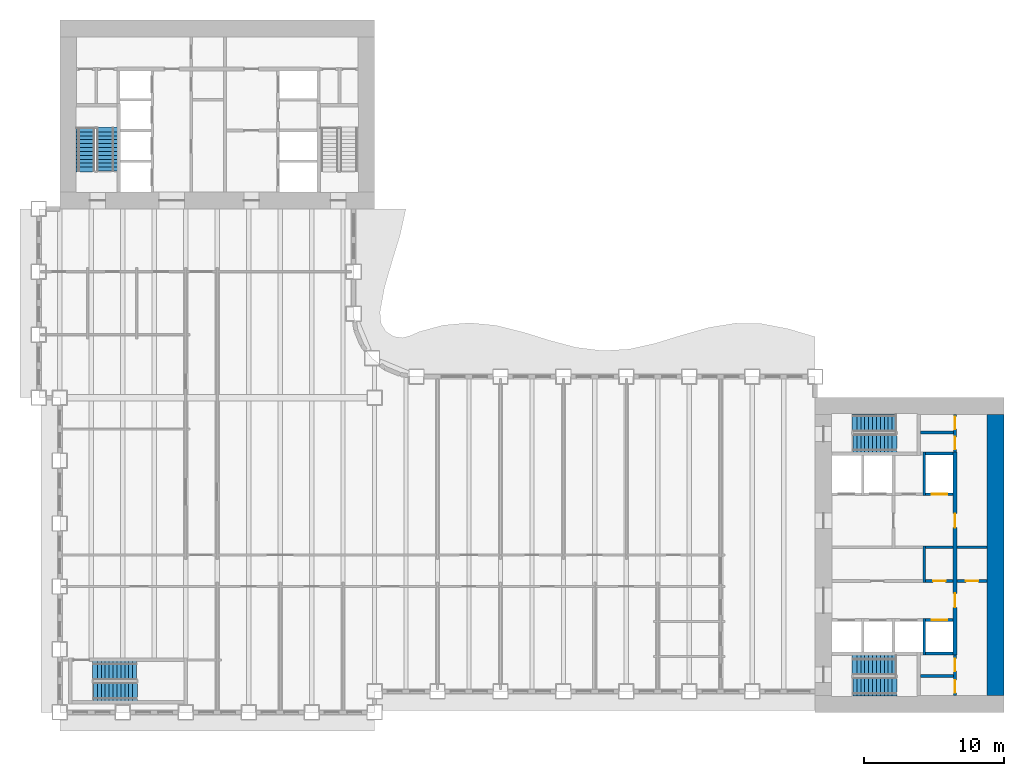
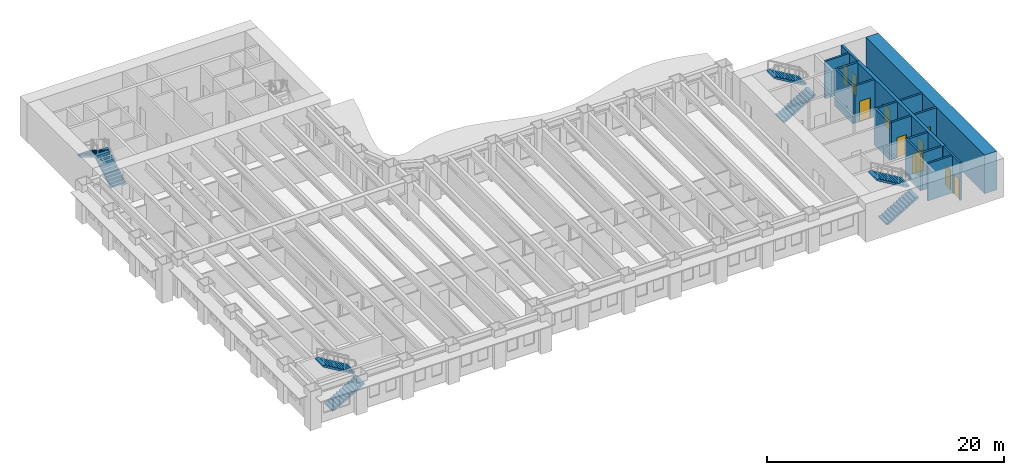
# One storey, part 9 of 16: 17 walls, 10 doors, 8 stair flights, 10 openings, 4 elements without a shape of their own.
"""IFC4 building model written with IfcOpenShell, lengths in metres."""

import ifcopenshell
import ifcopenshell.guid

model = None  # the IFC model being written
_history = None  # IfcOwnerHistory: only IFC2X3 demands one
_inside = {}  # id of a spatial element -> (the spatial element, [elements in it])
_under = {}  # id of a project, library or spatial element -> (it, [spatial elements below it])
_declared = {}  # id of a project -> (the project, [libraries it declares])
_typed = {}  # id of a type object -> (the type object, [elements of that type])
_made_of = {}  # id of a material, layer set ... -> (it, [elements and type objects made of it])


def new_model(schema):
    """Start an empty IFC model of exactly this schema.

    Asked for "IFC4X3", IfcOpenShell would pick the latest addendum, in which some entities
    have other attributes; the version numbers below select the first issue.
    IFC2X3 requires an IfcOwnerHistory on every rooted entity: one is made here for all.
    """
    global model, _history
    if schema == "IFC4X3":
        model = ifcopenshell.file(schema_version=(4, 3, 0, 0))
    else:
        model = ifcopenshell.file(schema=schema)
    _inside.clear()
    _under.clear()
    _declared.clear()
    _typed.clear()
    _made_of.clear()
    _history = None
    if model.schema == "IFC2X3":
        org = make("IfcOrganization", Name="unknown")
        user = make(
            "IfcPersonAndOrganization",
            ThePerson=make("IfcPerson", FamilyName="unknown"),
            TheOrganization=org,
        )
        app = make(
            "IfcApplication",
            ApplicationDeveloper=org,
            Version="unknown",
            ApplicationFullName="unknown",
            ApplicationIdentifier="unknown",
        )
        _history = make(
            "IfcOwnerHistory",
            OwningUser=user,
            OwningApplication=app,
            ChangeAction="ADDED",
            CreationDate=0,
        )
    return model


def make(cls, **values):
    """One entity of the class cls with the attributes given. An attribute that is None is left unset."""
    return model.create_entity(
        cls, **{name: value for name, value in values.items() if value is not None}
    )


def rooted(cls, **values):
    """An entity with a GlobalId (a new one), such as an element, a storey or a relation."""
    return make(cls, GlobalId=ifcopenshell.guid.new(), OwnerHistory=_history, **values)


def si_unit(unit_type, name, prefix=None):
    """IfcSIUnit, for example si_unit("LENGTHUNIT", "METRE", prefix="MILLI")."""
    return make("IfcSIUnit", UnitType=unit_type, Prefix=prefix, Name=name)


def assignment(units):
    """IfcUnitAssignment: the units of a project."""
    return None if units is None else make("IfcUnitAssignment", Units=units)


def point(xyz):
    """IfcCartesianPoint."""
    return None if xyz is None else make("IfcCartesianPoint", Coordinates=xyz)


def direction(xyz):
    """IfcDirection."""
    return None if xyz is None else make("IfcDirection", DirectionRatios=xyz)


def frame(location, z_axis=None, x_axis=None):
    """IfcAxis2Placement3D, a coordinate frame: its origin and axes. An axis left out is left unset."""
    return make(
        "IfcAxis2Placement3D",
        Location=point(location),
        Axis=direction(z_axis),
        RefDirection=direction(x_axis),
    )


def frame_2d(location, x_axis=None):
    """IfcAxis2Placement2D, a coordinate frame in the plane: its origin and x axis."""
    return make(
        "IfcAxis2Placement2D", Location=point(location), RefDirection=direction(x_axis)
    )


def origin():
    """The frame at (0, 0, 0) with its axes left unset."""
    return frame((0.0, 0.0, 0.0))


def place(relative_to, where):
    """IfcLocalPlacement: puts the frame where relative to a parent placement (None: the world)."""
    return make(
        "IfcLocalPlacement", PlacementRelTo=relative_to, RelativePlacement=where
    )


def context(
    kind, dimensions, precision=None, world=None, true_north=None, identifier=None
):
    """IfcGeometricRepresentationContext, for example the 3D "Model" context."""
    return make(
        "IfcGeometricRepresentationContext",
        ContextIdentifier=identifier,
        ContextType=kind,
        CoordinateSpaceDimension=dimensions,
        Precision=precision,
        WorldCoordinateSystem=world,
        TrueNorth=true_north,
    )


def subcontext(parent, identifier, kind, view, scale=None):
    """IfcGeometricRepresentationSubContext, for example "Body" below "Model"."""
    return make(
        "IfcGeometricRepresentationSubContext",
        ContextIdentifier=identifier,
        ContextType=kind,
        ParentContext=parent,
        TargetScale=scale,
        TargetView=view,
    )


def project(units=None, contexts=None):
    """IfcProject with its units and contexts."""
    return rooted(
        "IfcProject",
        Name="project",
        RepresentationContexts=contexts,
        UnitsInContext=assignment(units),
    )


def spatial(cls, under=None, at=None, **own):
    """A site, building, storey or space (cls), placed at a placement, below another one or the project."""
    s = rooted(cls, ObjectPlacement=at, **own)
    if under is not None:
        _under.setdefault(under.id(), (under, []))[1].append(s)
    return s


def polyline(points):
    """IfcPolyline through the points."""
    return make("IfcPolyline", Points=[point(p) for p in points])


def profile(cls, at=None, kind="AREA", **sizes):
    """A parametric profile (cls). Its sizes go by their IFC names, for example OverallWidth=200.0."""
    return make(cls, ProfileType=kind, Position=at, **sizes)


def rectangle(**sizes):
    """IfcRectangleProfileDef."""
    return profile("IfcRectangleProfileDef", **sizes)


def outline(outer, holes=None, kind="AREA"):
    """IfcArbitraryClosedProfileDef: a profile drawn as a closed curve; with holes, ...WithVoids."""
    if holes is None:
        return make("IfcArbitraryClosedProfileDef", ProfileType=kind, OuterCurve=outer)
    return make(
        "IfcArbitraryProfileDefWithVoids",
        ProfileType=kind,
        OuterCurve=outer,
        InnerCurves=holes,
    )


def extrude(swept, where, along, depth):
    """IfcExtrudedAreaSolid: the profile swept, set in the frame where, extruded along a direction by depth."""
    return make(
        "IfcExtrudedAreaSolid",
        SweptArea=swept,
        Position=where,
        ExtrudedDirection=direction(along),
        Depth=depth,
    )


def shape(context_of_items, identifier, shape_type, items):
    """IfcShapeRepresentation: the items that make up one representation, for example the "Body"."""
    return make(
        "IfcShapeRepresentation",
        ContextOfItems=context_of_items,
        RepresentationIdentifier=identifier,
        RepresentationType=shape_type,
        Items=items,
    )


def material(Name=None, Category=None):
    """IfcMaterial."""
    return make("IfcMaterial", Name=Name, Category=Category)


def layer(
    of_material, thickness, ventilated=None, Name=None, Category=None, Priority=None
):
    """IfcMaterialLayer: one layer of a wall or slab, of a material (None: an air gap)."""
    return make(
        "IfcMaterialLayer",
        Material=of_material,
        LayerThickness=thickness,
        IsVentilated=ventilated,
        Name=Name,
        Category=Category,
        Priority=Priority,
    )


def layer_set(layers, Name=None):
    """IfcMaterialLayerSet."""
    return make("IfcMaterialLayerSet", MaterialLayers=layers, LayerSetName=Name)


def made_of(thing, what):
    """Note that an element or type object is made of a material, layer set ...; save() writes the relation."""
    if what is not None:
        _made_of.setdefault(what.id(), (what, []))[1].append(thing)
    return thing


def type_object(cls, material=None, **own):
    """A type object (cls), such as IfcWallType, which elements share."""
    return made_of(rooted(cls, **own), material)


def element(
    cls,
    number,
    at=None,
    inside=None,
    cuts=None,
    type_object=None,
    material=None,
    context=None,
    identifier="Body",
    shape_type=None,
    held_by="IfcProductDefinitionShape",
    body=None,
    shapes=None,
    **own,
):
    """One element of the class cls, such as IfcWall. Its Tag is "e" and its number.

    at: its placement. inside: the storey or other place that contains it. cuts: it is an
    opening in that element (IfcRelVoidsElement). A single representation is given by context,
    identifier, shape_type and body (its items); several are given by shapes. held_by: the class
    of the entity that holds the representations. save() writes the other relations.
    """
    e = rooted(cls, Tag="e%d" % number, ObjectPlacement=at, **own)
    if body is not None:
        shapes = [shape(context, identifier, shape_type, body)]
    if shapes is not None:
        e.Representation = make(held_by, Representations=shapes)
    if inside is not None:
        _inside.setdefault(inside.id(), (inside, []))[1].append(e)
    if cuts is not None:
        rooted(
            "IfcRelVoidsElement", RelatingBuildingElement=cuts, RelatedOpeningElement=e
        )
    if type_object is not None:
        _typed.setdefault(type_object.id(), (type_object, []))[1].append(e)
    return made_of(e, material)


def fill(opening, filler):
    """IfcRelFillsElement: the door or window that sits in an opening."""
    return rooted(
        "IfcRelFillsElement",
        RelatingOpeningElement=opening,
        RelatedBuildingElement=filler,
    )


def aggregate(whole, parts):
    """IfcRelAggregates: a whole, such as a stair, and the parts it consists of."""
    return rooted("IfcRelAggregates", RelatingObject=whole, RelatedObjects=parts)


def save(model, path):
    """Write the relations noted so far, then the file.

    IfcRelAggregates (storeys below a building ...), IfcRelContainedInSpatialStructure (elements
    in a storey), IfcRelDefinesByType, IfcRelAssociatesMaterial and IfcRelDeclares: one each for
    every whole, place, type object, material and project.
    """
    for whole, parts in _under.values():
        aggregate(whole, parts)
    for where, things in _inside.values():
        rooted(
            "IfcRelContainedInSpatialStructure",
            RelatedElements=things,
            RelatingStructure=where,
        )
    for kind, things in _typed.values():
        rooted("IfcRelDefinesByType", RelatedObjects=things, RelatingType=kind)
    for what, things in _made_of.values():
        rooted("IfcRelAssociatesMaterial", RelatedObjects=things, RelatingMaterial=what)
    for by, libraries in _declared.values():
        rooted("IfcRelDeclares", RelatingContext=by, RelatedDefinitions=libraries)
    model.write(path)


model = new_model("IFC4")

# Units and contexts
model_context = context("Model", 3, precision=1e-05, world=origin(), true_north=direction((0.0, 1.0)))
body_context = subcontext(model_context, "Body", "Model", "MODEL_VIEW")
ifc_project = project(units=[si_unit("LENGTHUNIT", "METRE"), si_unit("AREAUNIT", "SQUARE_METRE"), si_unit("VOLUMEUNIT", "CUBIC_METRE"), si_unit("PLANEANGLEUNIT", "RADIAN"), si_unit("MASSUNIT", "GRAM", prefix="KILO")], contexts=[model_context])

# Site, building, storey
site_placement = place(None, origin())
site = spatial("IfcSite", under=ifc_project, at=site_placement, CompositionType="ELEMENT")
building_placement = place(site_placement, origin())
building = spatial("IfcBuilding", under=site, at=building_placement, Name="Sennacour Bend Tower", CompositionType="ELEMENT")
storey_placement = place(building_placement, frame((0.0, 0.0, 69.0)))
storey = spatial("IfcBuildingStorey", under=building, at=storey_placement, Name="L15", CompositionType="ELEMENT", Elevation=69.0)

# Walls
ifc_material_1 = material(Name="Concrete C80/95", Category="concrete")
ifc_layer_1 = layer(ifc_material_1, 1.199951171875, Name="Concrete C80/95", Category="concrete")
ifc_layer_set_1 = layer_set([ifc_layer_1], Name="Concrete C80/95")
wall_type_1 = type_object("IfcWallType", Name="Core wall 1200 C80/95", PredefinedType="SHEAR", material=ifc_layer_set_1)
wall_1_placement = place(storey_placement, frame((66.89990234375, 1.199951171875, -0.14990234375), z_axis=(0.0, 0.0, 1.0), x_axis=(0.0, 1.0, 0.0)))
element("IfcWall", 1, at=wall_1_placement, inside=storey, type_object=wall_type_1, Name="Core A wall L15 E", PredefinedType="SHEAR", context=body_context, shape_type="SweptSolid", body=[
    extrude(rectangle(XDim=20.10009765625, YDim=1.199951171875, at=frame_2d((10.050048828125, 0.0))), origin(), (0.0, 0.0, 1.0), 4.0),
])
ifc_material_2 = material(Name="Fire-rated plasterboard partition on steel studs", Category="steel")
ifc_layer_2 = layer(ifc_material_2, 0.199951171875, Name="Fire-rated plasterboard partition on steel studs", Category="steel")
ifc_layer_set_2 = layer_set([ifc_layer_2], Name="Fire-rated plasterboard partition on steel studs")
wall_type_2 = type_object("IfcWallType", Name="Rated partition 200", PredefinedType="PARTITIONING", material=ifc_layer_set_2)
wall_2_placement = place(storey_placement, frame((61.800048828125, 9.300048828125, 0.0), z_axis=(0.0, 0.0, 1.0), x_axis=(0.0, 1.0, 0.0)))
element("IfcWall", 2, at=wall_2_placement, inside=storey, type_object=wall_type_2, Name="P-L15-W044", PredefinedType="PARTITIONING", context=body_context, shape_type="SweptSolid", body=[
    extrude(rectangle(XDim=2.599853515625, YDim=0.199951171875, at=frame_2d((1.2998046875, 0.0))), origin(), (0.0, 0.0, 1.0), 3.85009765625),
])

# Wall, openings, doors
wall_3_placement = place(storey_placement, frame((64.0, 1.199951171875, 0.0), z_axis=(0.0, 0.0, 1.0), x_axis=(0.0, 1.0, 0.0)))
wall_3 = element("IfcWall", 3, at=wall_3_placement, inside=storey, type_object=wall_type_2, Name="P-L15-W046", PredefinedType="PARTITIONING", context=body_context, shape_type="SweptSolid", body=[
    extrude(rectangle(XDim=2.900146484375, YDim=0.199951171875, at=frame_2d((1.4501953125, 0.0))), origin(), (0.0, 0.0, 1.0), 3.85009765625),
])
opening_1_placement = place(wall_3_placement, frame((0.199951171875, 0.0, 0.0)))
opening_1 = element("IfcOpeningElement", 4, at=opening_1_placement, cuts=wall_3, Name="Opening SV", PredefinedType="OPENING", context=body_context, shape_type="SweptSolid", body=[
    extrude(rectangle(XDim=0.89990234375, YDim=2.10009765625, at=frame_2d((0.449951171875, 1.050048828125))), frame((0.0, 0.10986328125, 0.0), z_axis=(0.0, -1.0, 0.0), x_axis=(1.0, 0.0, 0.0)), (0.0, 0.0, 1.0), 0.219970703125),
])
opening_2_placement = place(wall_3_placement, frame((1.75, 0.0, 0.0)))
opening_2 = element("IfcOpeningElement", 5, at=opening_2_placement, cuts=wall_3, Name="Opening WD", PredefinedType="OPENING", context=body_context, shape_type="SweptSolid", body=[
    extrude(rectangle(XDim=0.89990234375, YDim=2.10009765625, at=frame_2d((0.449951171875, 1.050048828125))), frame((0.0, 0.10986328125, 0.0), z_axis=(0.0, -1.0, 0.0), x_axis=(1.0, 0.0, 0.0)), (0.0, 0.0, 1.0), 0.219970703125),
])
ifc_material_3 = material(Name="Painted steel", Category="steel")
door_type_1 = type_object("IfcDoorType", Name="DR-SERVICE-900", OperationType="NOTDEFINED", PredefinedType="DOOR", material=ifc_material_3)
door_1_placement = place(opening_1_placement, origin())
door_1 = element("IfcDoor", 6, at=door_1_placement, inside=storey, type_object=door_type_1, Name="Door", OperationType="SINGLE_SWING_LEFT", OverallHeight=2.10009765625, OverallWidth=0.89990234375, PredefinedType="DOOR", context=body_context, shape_type="SweptSolid", body=[
    extrude(rectangle(XDim=0.89990234375, YDim=2.10009765625, at=frame_2d((0.449951171875, 1.050048828125))), frame((0.0, 0.02490234375, 0.0), z_axis=(0.0, -1.0, 0.0), x_axis=(1.0, 0.0, 0.0)), (0.0, 0.0, 1.0), 0.050048828125),
])
fill(opening_1, door_1)
ifc_material_4 = material(Name="Timber", Category="wood")
door_type_2 = type_object("IfcDoorType", Name="DR-WC-900", OperationType="NOTDEFINED", PredefinedType="DOOR", material=ifc_material_4)
door_2_placement = place(opening_2_placement, origin())
door_2 = element("IfcDoor", 7, at=door_2_placement, inside=storey, type_object=door_type_2, Name="Door", OperationType="SINGLE_SWING_RIGHT", OverallHeight=2.10009765625, OverallWidth=0.89990234375, PredefinedType="DOOR", context=body_context, shape_type="SweptSolid", body=[
    extrude(rectangle(XDim=0.89990234375, YDim=2.10009765625, at=frame_2d((0.449951171875, 1.050048828125))), frame((0.0, 0.02490234375, 0.0), z_axis=(0.0, -1.0, 0.0), x_axis=(1.0, 0.0, 0.0)), (0.0, 0.0, 1.0), 0.050048828125),
])
fill(opening_2, door_2)

wall_4_placement = place(storey_placement, frame((64.0, 18.60009765625, 0.0), z_axis=(0.0, 0.0, 1.0), x_axis=(0.0, 1.0, 0.0)))
wall_4 = element("IfcWall", 8, at=wall_4_placement, inside=storey, type_object=wall_type_2, Name="P-L15-W048", PredefinedType="PARTITIONING", context=body_context, shape_type="SweptSolid", body=[
    extrude(rectangle(XDim=2.699951171875, YDim=0.199951171875, at=frame_2d((1.35009765625, 0.0))), origin(), (0.0, 0.0, 1.0), 3.85009765625),
])
opening_3_placement = place(wall_4_placement, frame((0.199951171875, 0.0, 0.0)))
opening_3 = element("IfcOpeningElement", 9, at=opening_3_placement, cuts=wall_4, Name="Opening SV", PredefinedType="OPENING", context=body_context, shape_type="SweptSolid", body=[
    extrude(rectangle(XDim=0.89990234375, YDim=2.10009765625, at=frame_2d((0.449951171875, 1.050048828125))), frame((0.0, 0.10986328125, 0.0), z_axis=(0.0, -1.0, 0.0), x_axis=(1.0, 0.0, 0.0)), (0.0, 0.0, 1.0), 0.219970703125),
])
opening_4_placement = place(wall_4_placement, frame((1.64990234375, 0.0, 0.0)))
opening_4 = element("IfcOpeningElement", 10, at=opening_4_placement, cuts=wall_4, Name="Opening SV", PredefinedType="OPENING", context=body_context, shape_type="SweptSolid", body=[
    extrude(rectangle(XDim=0.89990234375, YDim=2.10009765625, at=frame_2d((0.449951171875, 1.050048828125))), frame((0.0, 0.10986328125, 0.0), z_axis=(0.0, -1.0, 0.0), x_axis=(1.0, 0.0, 0.0)), (0.0, 0.0, 1.0), 0.219970703125),
])
door_3_placement = place(opening_3_placement, origin())
door_3 = element("IfcDoor", 11, at=door_3_placement, inside=storey, type_object=door_type_1, Name="Door", OperationType="SINGLE_SWING_LEFT", OverallHeight=2.10009765625, OverallWidth=0.89990234375, PredefinedType="DOOR", context=body_context, shape_type="SweptSolid", body=[
    extrude(rectangle(XDim=0.89990234375, YDim=2.10009765625, at=frame_2d((0.449951171875, 1.050048828125))), frame((0.0, 0.02490234375, 0.0), z_axis=(0.0, -1.0, 0.0), x_axis=(1.0, 0.0, 0.0)), (0.0, 0.0, 1.0), 0.050048828125),
])
fill(opening_3, door_3)
door_4_placement = place(opening_4_placement, origin())
door_4 = element("IfcDoor", 12, at=door_4_placement, inside=storey, type_object=door_type_1, Name="Door", OperationType="SINGLE_SWING_RIGHT", OverallHeight=2.10009765625, OverallWidth=0.89990234375, PredefinedType="DOOR", context=body_context, shape_type="SweptSolid", body=[
    extrude(rectangle(XDim=0.89990234375, YDim=2.10009765625, at=frame_2d((0.449951171875, 1.050048828125))), frame((0.0, 0.02490234375, 0.0), z_axis=(0.0, -1.0, 0.0), x_axis=(1.0, 0.0, 0.0)), (0.0, 0.0, 1.0), 0.050048828125),
])
fill(opening_4, door_4)

# Wall
wall_5_placement = place(storey_placement, frame((61.52490234375, 2.60009765625, 0.0), z_axis=(0.0, 0.0, 1.0), x_axis=(1.0, 0.0, 0.0)))
element("IfcWall", 13, at=wall_5_placement, inside=storey, type_object=wall_type_2, Name="P-L15-W052", PredefinedType="PARTITIONING", context=body_context, shape_type="SweptSolid", body=[
    extrude(rectangle(XDim=2.375, YDim=0.199951171875, at=frame_2d((1.1875, 0.0))), origin(), (0.0, 0.0, 1.0), 3.85009765625),
])

# Wall, opening, door
wall_6_placement = place(storey_placement, frame((61.89990234375, 9.39990234375, 0.0), z_axis=(0.0, 0.0, 1.0), x_axis=(1.0, 0.0, 0.0)))
wall_6 = element("IfcWall", 14, at=wall_6_placement, inside=storey, type_object=wall_type_2, Name="P-L15-W062b", PredefinedType="PARTITIONING", context=body_context, shape_type="SweptSolid", body=[
    extrude(rectangle(XDim=1.9501953125, YDim=0.199951171875, at=frame_2d((0.97509765625, 0.0))), origin(), (0.0, 0.0, 1.0), 3.85009765625),
])
opening_5_placement = place(wall_6_placement, frame((0.525146484375, 0.0, 0.0)))
opening_5 = element("IfcOpeningElement", 15, at=opening_5_placement, cuts=wall_6, Name="Opening SV", PredefinedType="OPENING", context=body_context, shape_type="SweptSolid", body=[
    extrude(rectangle(XDim=0.89990234375, YDim=2.10009765625, at=frame_2d((0.449951171875, 1.050048828125))), frame((0.0, 0.10986328125, 0.0), z_axis=(0.0, -1.0, 0.0), x_axis=(1.0, 0.0, 0.0)), (0.0, 0.0, 1.0), 0.219970703125),
])
door_5_placement = place(opening_5_placement, origin())
door_5 = element("IfcDoor", 16, at=door_5_placement, inside=storey, type_object=door_type_1, Name="Door", OperationType="SINGLE_SWING_LEFT", OverallHeight=2.10009765625, OverallWidth=0.89990234375, PredefinedType="DOOR", context=body_context, shape_type="SweptSolid", body=[
    extrude(rectangle(XDim=0.89990234375, YDim=2.10009765625, at=frame_2d((0.449951171875, 1.050048828125))), frame((0.0, 0.02490234375, 0.0), z_axis=(0.0, -1.0, 0.0), x_axis=(1.0, 0.0, 0.0)), (0.0, 0.0, 1.0), 0.050048828125),
])
fill(opening_5, door_5)

wall_7_placement = place(storey_placement, frame((64.14990234375, 9.39990234375, 0.0), z_axis=(0.0, 0.0, 1.0), x_axis=(1.0, 0.0, 0.0)))
wall_7 = element("IfcWall", 17, at=wall_7_placement, inside=storey, type_object=wall_type_2, Name="P-L15-W062c", PredefinedType="PARTITIONING", context=body_context, shape_type="SweptSolid", body=[
    extrude(rectangle(XDim=2.150146484375, YDim=0.199951171875, at=frame_2d((1.0751953125, 0.0))), origin(), (0.0, 0.0, 1.0), 3.85009765625),
])
opening_6_placement = place(wall_7_placement, frame((0.625, 0.0, 0.0)))
opening_6 = element("IfcOpeningElement", 18, at=opening_6_placement, cuts=wall_7, Name="Opening SV", PredefinedType="OPENING", context=body_context, shape_type="SweptSolid", body=[
    extrude(rectangle(XDim=0.89990234375, YDim=2.10009765625, at=frame_2d((0.449951171875, 1.050048828125))), frame((0.0, 0.10986328125, 0.0), z_axis=(0.0, -1.0, 0.0), x_axis=(1.0, 0.0, 0.0)), (0.0, 0.0, 1.0), 0.219970703125),
])
door_6_placement = place(opening_6_placement, origin())
door_6 = element("IfcDoor", 19, at=door_6_placement, inside=storey, type_object=door_type_1, Name="Door", OperationType="SINGLE_SWING_LEFT", OverallHeight=2.10009765625, OverallWidth=0.89990234375, PredefinedType="DOOR", context=body_context, shape_type="SweptSolid", body=[
    extrude(rectangle(XDim=0.89990234375, YDim=2.10009765625, at=frame_2d((0.449951171875, 1.050048828125))), frame((0.0, 0.02490234375, 0.0), z_axis=(0.0, -1.0, 0.0), x_axis=(1.0, 0.0, 0.0)), (0.0, 0.0, 1.0), 0.050048828125),
])
fill(opening_6, door_6)

# Walls
wall_8_placement = place(storey_placement, frame((61.89990234375, 11.800048828125, 0.0), z_axis=(0.0, 0.0, 1.0), x_axis=(1.0, 0.0, 0.0)))
element("IfcWall", 20, at=wall_8_placement, inside=storey, type_object=wall_type_2, Name="P-L15-W064c", PredefinedType="PARTITIONING", context=body_context, shape_type="SweptSolid", body=[
    extrude(rectangle(XDim=1.9501953125, YDim=0.199951171875, at=frame_2d((0.97509765625, 0.0))), origin(), (0.0, 0.0, 1.0), 3.85009765625),
])
wall_9_placement = place(storey_placement, frame((64.14990234375, 11.800048828125, 0.0), z_axis=(0.0, 0.0, 1.0), x_axis=(1.0, 0.0, 0.0)))
element("IfcWall", 21, at=wall_9_placement, inside=storey, type_object=wall_type_2, Name="P-L15-W064d", PredefinedType="PARTITIONING", context=body_context, shape_type="SweptSolid", body=[
    extrude(rectangle(XDim=2.150146484375, YDim=0.199951171875, at=frame_2d((1.0751953125, 0.0))), origin(), (0.0, 0.0, 1.0), 3.85009765625),
])
wall_10_placement = place(storey_placement, frame((61.52490234375, 20.0, 0.0), z_axis=(0.0, 0.0, 1.0), x_axis=(1.0, 0.0, 0.0)))
element("IfcWall", 22, at=wall_10_placement, inside=storey, type_object=wall_type_2, Name="P-L15-W071", PredefinedType="PARTITIONING", context=body_context, shape_type="SweptSolid", body=[
    extrude(rectangle(XDim=2.375, YDim=0.199951171875, at=frame_2d((1.1875, 0.0))), origin(), (0.0, 0.0, 1.0), 3.85009765625),
])
ifc_material_5 = material(Name="Concrete C50/60", Category="concrete")
ifc_layer_3 = layer(ifc_material_5, 0.199951171875, Name="Concrete C50/60", Category="concrete")
ifc_layer_set_3 = layer_set([ifc_layer_3], Name="Concrete C50/60")
wall_type_3 = type_object("IfcWallType", Name="Shaft wall 200", PredefinedType="SOLIDWALL", material=ifc_layer_set_3)
wall_11_placement = place(storey_placement, frame((61.800048828125, 4.10009765625, 0.0), z_axis=(0.0, 0.0, 1.0), x_axis=(0.0, 1.0, 0.0)))
element("IfcWall", 23, at=wall_11_placement, inside=storey, type_object=wall_type_3, Name="P-L15-W043", PredefinedType="SOLIDWALL", context=body_context, shape_type="SweptSolid", body=[
    extrude(rectangle(XDim=2.599853515625, YDim=0.199951171875, at=frame_2d((1.2998046875, 0.0))), origin(), (0.0, 0.0, 1.0), 3.85009765625),
])
wall_12_placement = place(storey_placement, frame((61.800048828125, 15.5, 0.0), z_axis=(0.0, 0.0, 1.0), x_axis=(0.0, 1.0, 0.0)))
element("IfcWall", 24, at=wall_12_placement, inside=storey, type_object=wall_type_3, Name="P-L15-W045", PredefinedType="SOLIDWALL", context=body_context, shape_type="SweptSolid", body=[
    extrude(rectangle(XDim=3.10009765625, YDim=0.199951171875, at=frame_2d((1.550048828125, 0.0))), origin(), (0.0, 0.0, 1.0), 3.85009765625),
])
wall_13_placement = place(storey_placement, frame((61.89990234375, 4.199951171875, 0.0), z_axis=(0.0, 0.0, 1.0), x_axis=(1.0, 0.0, 0.0)))
element("IfcWall", 25, at=wall_13_placement, inside=storey, type_object=wall_type_3, Name="P-L15-W058b", PredefinedType="SOLIDWALL", context=body_context, shape_type="SweptSolid", body=[
    extrude(rectangle(XDim=1.9501953125, YDim=0.199951171875, at=frame_2d((0.97509765625, 0.0))), origin(), (0.0, 0.0, 1.0), 3.85009765625),
])

# Wall, opening, door
wall_14_placement = place(storey_placement, frame((61.89990234375, 6.60009765625, 0.0), z_axis=(0.0, 0.0, 1.0), x_axis=(1.0, 0.0, 0.0)))
wall_14 = element("IfcWall", 26, at=wall_14_placement, inside=storey, type_object=wall_type_3, Name="P-L15-W060d", PredefinedType="SOLIDWALL", context=body_context, shape_type="SweptSolid", body=[
    extrude(rectangle(XDim=1.9501953125, YDim=0.199951171875, at=frame_2d((0.97509765625, 0.0))), origin(), (0.0, 0.0, 1.0), 3.85009765625),
])
opening_7_placement = place(wall_14_placement, frame((0.425048828125, 0.0, 0.011962890625)))
opening_7 = element("IfcOpeningElement", 27, at=opening_7_placement, cuts=wall_14, Name="Opening LD", PredefinedType="OPENING", context=body_context, shape_type="SweptSolid", body=[
    extrude(rectangle(XDim=1.10009765625, YDim=2.10009765625, at=frame_2d((0.550048828125, 1.050048828125))), frame((0.0, 0.10986328125, 0.0), z_axis=(0.0, -1.0, 0.0), x_axis=(1.0, 0.0, 0.0)), (0.0, 0.0, 1.0), 0.219970703125),
])
ifc_material_6 = material(Name="Stainless steel", Category="steel")
door_type_3 = type_object("IfcDoorType", Name="DR-LANDING-1100", OperationType="NOTDEFINED", PredefinedType="DOOR", material=ifc_material_6)
door_7_placement = place(opening_7_placement, origin())
door_7 = element("IfcDoor", 28, at=door_7_placement, inside=storey, type_object=door_type_3, Name="Lift landing door LA4", OperationType="SLIDING_TO_RIGHT", OverallHeight=2.10009765625, OverallWidth=1.10009765625, PredefinedType="DOOR", context=body_context, shape_type="SweptSolid", body=[
    extrude(rectangle(XDim=1.10009765625, YDim=2.10009765625, at=frame_2d((0.550048828125, 1.050048828125))), frame((0.0, 0.02490234375, 0.0), z_axis=(0.0, -1.0, 0.0), x_axis=(1.0, 0.0, 0.0)), (0.0, 0.0, 1.0), 0.050048828125),
])
fill(opening_7, door_7)

wall_15_placement = place(storey_placement, frame((61.89990234375, 15.60009765625, 0.0), z_axis=(0.0, 0.0, 1.0), x_axis=(1.0, 0.0, 0.0)))
wall_15 = element("IfcWall", 29, at=wall_15_placement, inside=storey, type_object=wall_type_3, Name="P-L15-W067", PredefinedType="SOLIDWALL", context=body_context, shape_type="SweptSolid", body=[
    extrude(rectangle(XDim=1.9501953125, YDim=0.199951171875, at=frame_2d((0.97509765625, 0.0))), origin(), (0.0, 0.0, 1.0), 3.85009765625),
])
opening_8_placement = place(wall_15_placement, frame((0.425048828125, 0.0, 0.011962890625)))
opening_8 = element("IfcOpeningElement", 30, at=opening_8_placement, cuts=wall_15, Name="Opening LD", PredefinedType="OPENING", context=body_context, shape_type="SweptSolid", body=[
    extrude(rectangle(XDim=1.10009765625, YDim=2.10009765625, at=frame_2d((0.550048828125, 1.050048828125))), frame((0.0, 0.10986328125, 0.0), z_axis=(0.0, -1.0, 0.0), x_axis=(1.0, 0.0, 0.0)), (0.0, 0.0, 1.0), 0.219970703125),
])
door_8_placement = place(opening_8_placement, origin())
door_8 = element("IfcDoor", 31, at=door_8_placement, inside=storey, type_object=door_type_3, Name="Lift landing door LA5", OperationType="SLIDING_TO_LEFT", OverallHeight=2.10009765625, OverallWidth=1.10009765625, PredefinedType="DOOR", context=body_context, shape_type="SweptSolid", body=[
    extrude(rectangle(XDim=1.10009765625, YDim=2.10009765625, at=frame_2d((0.550048828125, 1.050048828125))), frame((0.0, 0.02490234375, 0.0), z_axis=(0.0, -1.0, 0.0), x_axis=(1.0, 0.0, 0.0)), (0.0, 0.0, 1.0), 0.050048828125),
])
fill(opening_8, door_8)

# Wall
wall_16_placement = place(storey_placement, frame((61.89990234375, 18.5, 0.0), z_axis=(0.0, 0.0, 1.0), x_axis=(1.0, 0.0, 0.0)))
element("IfcWall", 32, at=wall_16_placement, inside=storey, type_object=wall_type_3, Name="P-L15-W070", PredefinedType="SOLIDWALL", context=body_context, shape_type="SweptSolid", body=[
    extrude(rectangle(XDim=1.9501953125, YDim=0.199951171875, at=frame_2d((0.97509765625, 0.0))), origin(), (0.0, 0.0, 1.0), 3.85009765625),
])

# Wall, openings, doors
ifc_material_7 = material(Name="Concrete C60/75", Category="concrete")
ifc_layer_4 = layer(ifc_material_7, 0.300048828125, Name="Concrete C60/75", Category="concrete")
ifc_layer_set_4 = layer_set([ifc_layer_4], Name="Concrete C60/75")
wall_type_4 = type_object("IfcWallType", Name="Spine wall 300", PredefinedType="SHEAR", material=ifc_layer_set_4)
wall_17_placement = place(storey_placement, frame((64.0, 4.10009765625, 0.0), z_axis=(0.0, 0.0, 1.0), x_axis=(0.0, 1.0, 0.0)))
wall_17 = element("IfcWall", 33, at=wall_17_placement, inside=storey, type_object=wall_type_4, Name="P-L15-W047", PredefinedType="SHEAR", context=body_context, shape_type="SweptSolid", body=[
    extrude(rectangle(XDim=14.5, YDim=0.300048828125, at=frame_2d((7.25, 0.0))), origin(), (0.0, 0.0, 1.0), 3.85009765625),
])
opening_9_placement = place(wall_17_placement, frame((3.39990234375, 0.0, 0.0)))
opening_9 = element("IfcOpeningElement", 34, at=opening_9_placement, cuts=wall_17, Name="Opening CD2", PredefinedType="OPENING", context=body_context, shape_type="SweptSolid", body=[
    extrude(rectangle(XDim=1.0, YDim=2.10009765625, at=frame_2d((0.5, 1.050048828125))), frame((0.0, 0.16015625, 0.0), z_axis=(0.0, -1.0, 0.0), x_axis=(1.0, 0.0, 0.0)), (0.0, 0.0, 1.0), 0.320068359375),
])
opening_10_placement = place(wall_17_placement, frame((9.099853515625, 0.0, 0.0)))
opening_10 = element("IfcOpeningElement", 35, at=opening_10_placement, cuts=wall_17, Name="Opening CD2", PredefinedType="OPENING", context=body_context, shape_type="SweptSolid", body=[
    extrude(rectangle(XDim=1.0, YDim=2.10009765625, at=frame_2d((0.5, 1.050048828125))), frame((0.0, 0.16015625, 0.0), z_axis=(0.0, -1.0, 0.0), x_axis=(1.0, 0.0, 0.0)), (0.0, 0.0, 1.0), 0.320068359375),
])
door_type_4 = type_object("IfcDoorType", Name="DR-LOBBY-1000", OperationType="NOTDEFINED", PredefinedType="DOOR", material=ifc_material_3)
door_9_placement = place(opening_9_placement, origin())
door_9 = element("IfcDoor", 36, at=door_9_placement, inside=storey, type_object=door_type_4, Name="Door", OperationType="SINGLE_SWING_LEFT", OverallHeight=2.10009765625, OverallWidth=1.0, PredefinedType="DOOR", context=body_context, shape_type="SweptSolid", body=[
    extrude(rectangle(XDim=1.0, YDim=2.10009765625, at=frame_2d((0.5, 1.050048828125))), frame((0.0, 0.02490234375, 0.0), z_axis=(0.0, -1.0, 0.0), x_axis=(1.0, 0.0, 0.0)), (0.0, 0.0, 1.0), 0.050048828125),
])
fill(opening_9, door_9)
door_10_placement = place(opening_10_placement, origin())
door_10 = element("IfcDoor", 37, at=door_10_placement, inside=storey, type_object=door_type_4, Name="Door", OperationType="SINGLE_SWING_RIGHT", OverallHeight=2.10009765625, OverallWidth=1.0, PredefinedType="DOOR", context=body_context, shape_type="SweptSolid", body=[
    extrude(rectangle(XDim=1.0, YDim=2.10009765625, at=frame_2d((0.5, 1.050048828125))), frame((0.0, 0.02490234375, 0.0), z_axis=(0.0, -1.0, 0.0), x_axis=(1.0, 0.0, 0.0)), (0.0, 0.0, 1.0), 0.050048828125),
])
fill(opening_10, door_10)

# Stair, stair flights
ifc_material_8 = material(Name="Concrete C40/50", Category="concrete")
stair_type = type_object("IfcStairType", Name="ST-DOGLEG", PredefinedType="HALF_TURN_STAIR", material=ifc_material_8)
stair_1_placement = place(storey_placement, origin())
stair_1 = element("IfcStair", 38, at=stair_1_placement, inside=storey, type_object=stair_type, Name="L15 Exit stair A1", PredefinedType="HALF_TURN_STAIR")
stair_flight_type = type_object("IfcStairFlightType", Name="SFL-RC", PredefinedType="STRAIGHT", material=ifc_material_8)
stair_flight_1_placement = place(storey_placement, frame((56.699951171875, 1.8349609375, 0.0), z_axis=(0.0, 0.0, 1.0), x_axis=(1.0, 0.0, 0.0)))
stair_flight_1 = element("IfcStairFlight", 39, at=stair_flight_1_placement, type_object=stair_flight_type, Name="SA1 flight 1", NumberOfRisers=12, NumberOfTreads=11, PredefinedType="STRAIGHT", RiserHeight=0.166666667, TreadLength=0.28, context=body_context, shape_type="SweptSolid", body=[
    extrude(outline(polyline([(0.0, 0.0), (0.0, 0.166748046875), (0.280029296875, 0.166748046875), (0.280029296875, 0.333251953125), (0.56005859375, 0.333251953125), (0.56005859375, 0.5), (0.840087890625, 0.5), (0.840087890625, 0.666748046875), (1.1201171875, 0.666748046875), (1.1201171875, 0.833251953125), (1.39990234375, 0.833251953125), (1.39990234375, 1.0), (1.679931640625, 1.0), (1.679931640625, 1.166748046875), (1.9599609375, 1.166748046875), (1.9599609375, 1.333251953125), (2.239990234375, 1.333251953125), (2.239990234375, 1.5), (2.52001953125, 1.5), (2.52001953125, 1.666748046875), (2.800048828125, 1.666748046875), (2.800048828125, 1.833251953125), (3.080078125, 1.833251953125), (3.139892578125, 1.833251953125), (3.139892578125, 1.658935546875), (3.080078125, 1.658935546875), (0.29296875, 0.0), (0.0, 0.0)])), frame((0.0, 0.6650390625, 0.0), z_axis=(0.0, -1.0, 0.0), x_axis=(1.0, 0.0, 0.0)), (0.0, 0.0, 1.0), 1.330078125),
])
stair_flight_2_placement = place(storey_placement, frame((59.780029296875, 3.37744140625, 2.0), z_axis=(0.0, 0.0, 1.0), x_axis=(-1.0, 0.0, 0.0)))
stair_flight_2 = element("IfcStairFlight", 40, at=stair_flight_2_placement, type_object=stair_flight_type, Name="SA1 flight 2", NumberOfRisers=12, NumberOfTreads=11, PredefinedType="STRAIGHT", RiserHeight=0.166666667, TreadLength=0.28, context=body_context, shape_type="SweptSolid", body=[
    extrude(outline(polyline([(0.0, 0.0), (0.0, 0.166748046875), (0.280029296875, 0.166748046875), (0.280029296875, 0.333251953125), (0.56005859375, 0.333251953125), (0.56005859375, 0.5), (0.840087890625, 0.5), (0.840087890625, 0.666748046875), (1.1201171875, 0.666748046875), (1.1201171875, 0.833251953125), (1.39990234375, 0.833251953125), (1.39990234375, 1.0), (1.679931640625, 1.0), (1.679931640625, 1.166748046875), (1.9599609375, 1.166748046875), (1.9599609375, 1.333251953125), (2.239990234375, 1.333251953125), (2.239990234375, 1.5), (2.52001953125, 1.5), (2.52001953125, 1.666748046875), (2.800048828125, 1.666748046875), (2.800048828125, 1.833251953125), (3.080078125, 1.833251953125), (3.139892578125, 1.833251953125), (3.139892578125, 1.658935546875), (3.080078125, 1.658935546875), (0.29296875, 0.0), (0.0, 0.0)])), frame((0.0, 0.7275390625, 0.0), z_axis=(0.0, -1.0, 0.0), x_axis=(1.0, 0.0, 0.0)), (0.0, 0.0, 1.0), 1.455078125),
])
aggregate(stair_1, [stair_flight_1, stair_flight_2])

stair_2_placement = place(storey_placement, origin())
stair_2 = element("IfcStair", 41, at=stair_2_placement, inside=storey, type_object=stair_type, Name="L15 Exit stair A2", PredefinedType="HALF_TURN_STAIR")
stair_flight_3_placement = place(storey_placement, frame((56.699951171875, 19.24755859375, 0.0), z_axis=(0.0, 0.0, 1.0), x_axis=(1.0, 0.0, 0.0)))
stair_flight_3 = element("IfcStairFlight", 42, at=stair_flight_3_placement, type_object=stair_flight_type, Name="SA2 flight 1", NumberOfRisers=12, NumberOfTreads=11, PredefinedType="STRAIGHT", RiserHeight=0.166666667, TreadLength=0.28, context=body_context, shape_type="SweptSolid", body=[
    extrude(outline(polyline([(0.0, 0.0), (0.0, 0.166748046875), (0.280029296875, 0.166748046875), (0.280029296875, 0.333251953125), (0.56005859375, 0.333251953125), (0.56005859375, 0.5), (0.840087890625, 0.5), (0.840087890625, 0.666748046875), (1.1201171875, 0.666748046875), (1.1201171875, 0.833251953125), (1.39990234375, 0.833251953125), (1.39990234375, 1.0), (1.679931640625, 1.0), (1.679931640625, 1.166748046875), (1.9599609375, 1.166748046875), (1.9599609375, 1.333251953125), (2.239990234375, 1.333251953125), (2.239990234375, 1.5), (2.52001953125, 1.5), (2.52001953125, 1.666748046875), (2.800048828125, 1.666748046875), (2.800048828125, 1.833251953125), (3.080078125, 1.833251953125), (3.139892578125, 1.833251953125), (3.139892578125, 1.658935546875), (3.080078125, 1.658935546875), (0.29296875, 0.0), (0.0, 0.0)])), frame((0.0, 0.65234375, 0.0), z_axis=(0.0, -1.0, 0.0), x_axis=(1.0, 0.0, 0.0)), (0.0, 0.0, 1.0), 1.304931640625),
])
stair_flight_4_placement = place(storey_placement, frame((59.780029296875, 20.68994140625, 2.0), z_axis=(0.0, 0.0, 1.0), x_axis=(-1.0, 0.0, 0.0)))
stair_flight_4 = element("IfcStairFlight", 43, at=stair_flight_4_placement, type_object=stair_flight_type, Name="SA2 flight 2", NumberOfRisers=12, NumberOfTreads=11, PredefinedType="STRAIGHT", RiserHeight=0.166666667, TreadLength=0.28, context=body_context, shape_type="SweptSolid", body=[
    extrude(outline(polyline([(0.0, 0.0), (0.0, 0.166748046875), (0.280029296875, 0.166748046875), (0.280029296875, 0.333251953125), (0.56005859375, 0.333251953125), (0.56005859375, 0.5), (0.840087890625, 0.5), (0.840087890625, 0.666748046875), (1.1201171875, 0.666748046875), (1.1201171875, 0.833251953125), (1.39990234375, 0.833251953125), (1.39990234375, 1.0), (1.679931640625, 1.0), (1.679931640625, 1.166748046875), (1.9599609375, 1.166748046875), (1.9599609375, 1.333251953125), (2.239990234375, 1.333251953125), (2.239990234375, 1.5), (2.52001953125, 1.5), (2.52001953125, 1.666748046875), (2.800048828125, 1.666748046875), (2.800048828125, 1.833251953125), (3.080078125, 1.833251953125), (3.139892578125, 1.833251953125), (3.139892578125, 1.658935546875), (3.080078125, 1.658935546875), (0.29296875, 0.0), (0.0, 0.0)])), frame((0.0, 0.64013671875, 0.0), z_axis=(0.0, -1.0, 0.0), x_axis=(1.0, 0.0, 0.0)), (0.0, 0.0, 1.0), 1.280029296875),
])
aggregate(stair_2, [stair_flight_3, stair_flight_4])

stair_3_placement = place(storey_placement, origin())
stair_3 = element("IfcStair", 44, at=stair_3_placement, inside=storey, type_object=stair_type, Name="L15 Exit stair B1", PredefinedType="HALF_TURN_STAIR")
stair_flight_5_placement = place(storey_placement, frame((3.37744140625, 38.699951171875, 0.0), z_axis=(0.0, 0.0, 1.0), x_axis=(0.0, 1.0, 0.0)))
stair_flight_5 = element("IfcStairFlight", 45, at=stair_flight_5_placement, type_object=stair_flight_type, Name="SB1 flight 1", NumberOfRisers=12, NumberOfTreads=11, PredefinedType="STRAIGHT", RiserHeight=0.166666667, TreadLength=0.28, context=body_context, shape_type="SweptSolid", body=[
    extrude(outline(polyline([(0.0, 0.0), (0.0, 0.166748046875), (0.280029296875, 0.166748046875), (0.280029296875, 0.333251953125), (0.56005859375, 0.333251953125), (0.56005859375, 0.5), (0.840087890625, 0.5), (0.840087890625, 0.666748046875), (1.1201171875, 0.666748046875), (1.1201171875, 0.833251953125), (1.39990234375, 0.833251953125), (1.39990234375, 1.0), (1.679931640625, 1.0), (1.679931640625, 1.166748046875), (1.9599609375, 1.166748046875), (1.9599609375, 1.333251953125), (2.239990234375, 1.333251953125), (2.239990234375, 1.5), (2.52001953125, 1.5), (2.52001953125, 1.666748046875), (2.800048828125, 1.666748046875), (2.800048828125, 1.833251953125), (3.080078125, 1.833251953125), (3.139892578125, 1.833251953125), (3.139892578125, 1.658935546875), (3.080078125, 1.658935546875), (0.29296875, 0.0), (0.0, 0.0)])), frame((0.0, 0.7275390625, 0.0), z_axis=(0.0, -1.0, 0.0), x_axis=(1.0, 0.0, 0.0)), (0.0, 0.0, 1.0), 1.455078125),
])
stair_flight_6_placement = place(storey_placement, frame((1.8349609375, 41.780029296875, 2.0), z_axis=(0.0, 0.0, 1.0), x_axis=(0.0, -1.0, 0.0)))
stair_flight_6 = element("IfcStairFlight", 46, at=stair_flight_6_placement, type_object=stair_flight_type, Name="SB1 flight 2", NumberOfRisers=12, NumberOfTreads=11, PredefinedType="STRAIGHT", RiserHeight=0.166666667, TreadLength=0.28, context=body_context, shape_type="SweptSolid", body=[
    extrude(outline(polyline([(0.0, 0.0), (0.0, 0.166748046875), (0.280029296875, 0.166748046875), (0.280029296875, 0.333251953125), (0.56005859375, 0.333251953125), (0.56005859375, 0.5), (0.840087890625, 0.5), (0.840087890625, 0.666748046875), (1.1201171875, 0.666748046875), (1.1201171875, 0.833251953125), (1.39990234375, 0.833251953125), (1.39990234375, 1.0), (1.679931640625, 1.0), (1.679931640625, 1.166748046875), (1.9599609375, 1.166748046875), (1.9599609375, 1.333251953125), (2.239990234375, 1.333251953125), (2.239990234375, 1.5), (2.52001953125, 1.5), (2.52001953125, 1.666748046875), (2.800048828125, 1.666748046875), (2.800048828125, 1.833251953125), (3.080078125, 1.833251953125), (3.139892578125, 1.833251953125), (3.139892578125, 1.658935546875), (3.080078125, 1.658935546875), (0.29296875, 0.0), (0.0, 0.0)])), frame((0.0, 0.6650390625, 0.0), z_axis=(0.0, -1.0, 0.0), x_axis=(1.0, 0.0, 0.0)), (0.0, 0.0, 1.0), 1.330078125),
])
aggregate(stair_3, [stair_flight_5, stair_flight_6])

stair_4_placement = place(storey_placement, origin())
stair_4 = element("IfcStair", 47, at=stair_4_placement, inside=storey, type_object=stair_type, Name="L15 Exit stair K1", PredefinedType="HALF_TURN_STAIR")
stair_flight_7_placement = place(storey_placement, frame((2.39990234375, 1.485107421875, 0.0), z_axis=(0.0, 0.0, 1.0), x_axis=(1.0, 0.0, 0.0)))
stair_flight_7 = element("IfcStairFlight", 48, at=stair_flight_7_placement, type_object=stair_flight_type, Name="SK1 flight 1", NumberOfRisers=12, NumberOfTreads=11, PredefinedType="STRAIGHT", RiserHeight=0.166666667, TreadLength=0.28, context=body_context, shape_type="SweptSolid", body=[
    extrude(outline(polyline([(0.0, 0.0), (0.0, 0.166748046875), (0.280029296875, 0.166748046875), (0.280029296875, 0.333251953125), (0.56005859375, 0.333251953125), (0.56005859375, 0.5), (0.840087890625, 0.5), (0.840087890625, 0.666748046875), (1.1201171875, 0.666748046875), (1.1201171875, 0.833251953125), (1.39990234375, 0.833251953125), (1.39990234375, 1.0), (1.679931640625, 1.0), (1.679931640625, 1.166748046875), (1.9599609375, 1.166748046875), (1.9599609375, 1.333251953125), (2.239990234375, 1.333251953125), (2.239990234375, 1.5), (2.52001953125, 1.5), (2.52001953125, 1.666748046875), (2.800048828125, 1.666748046875), (2.800048828125, 1.833251953125), (3.080078125, 1.833251953125), (3.139892578125, 1.833251953125), (3.139892578125, 1.658935546875), (3.080078125, 1.658935546875), (0.29296875, 0.0), (0.0, 0.0)])), frame((0.0, 0.6650390625, 0.0), z_axis=(0.0, -1.0, 0.0), x_axis=(1.0, 0.0, 0.0)), (0.0, 0.0, 1.0), 1.330078125),
])
stair_flight_8_placement = place(storey_placement, frame((5.47998046875, 2.9775390625, 2.0), z_axis=(0.0, 0.0, 1.0), x_axis=(-1.0, 0.0, 0.0)))
stair_flight_8 = element("IfcStairFlight", 49, at=stair_flight_8_placement, type_object=stair_flight_type, Name="SK1 flight 2", NumberOfRisers=12, NumberOfTreads=11, PredefinedType="STRAIGHT", RiserHeight=0.166666667, TreadLength=0.28, context=body_context, shape_type="SweptSolid", body=[
    extrude(outline(polyline([(0.0, 0.0), (0.0, 0.166748046875), (0.280029296875, 0.166748046875), (0.280029296875, 0.333251953125), (0.56005859375, 0.333251953125), (0.56005859375, 0.5), (0.840087890625, 0.5), (0.840087890625, 0.666748046875), (1.1201171875, 0.666748046875), (1.1201171875, 0.833251953125), (1.39990234375, 0.833251953125), (1.39990234375, 1.0), (1.679931640625, 1.0), (1.679931640625, 1.166748046875), (1.9599609375, 1.166748046875), (1.9599609375, 1.333251953125), (2.239990234375, 1.333251953125), (2.239990234375, 1.5), (2.52001953125, 1.5), (2.52001953125, 1.666748046875), (2.800048828125, 1.666748046875), (2.800048828125, 1.833251953125), (3.080078125, 1.833251953125), (3.139892578125, 1.833251953125), (3.139892578125, 1.658935546875), (3.080078125, 1.658935546875), (0.29296875, 0.0), (0.0, 0.0)])), frame((0.0, 0.677490234375, 0.0), z_axis=(0.0, -1.0, 0.0), x_axis=(1.0, 0.0, 0.0)), (0.0, 0.0, 1.0), 1.35498046875),
])
aggregate(stair_4, [stair_flight_7, stair_flight_8])

save(model, "model.ifc")
